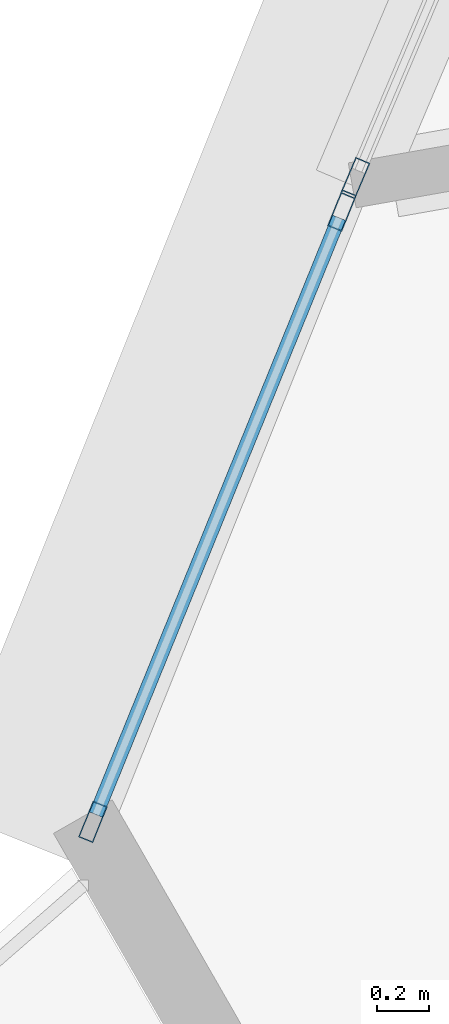
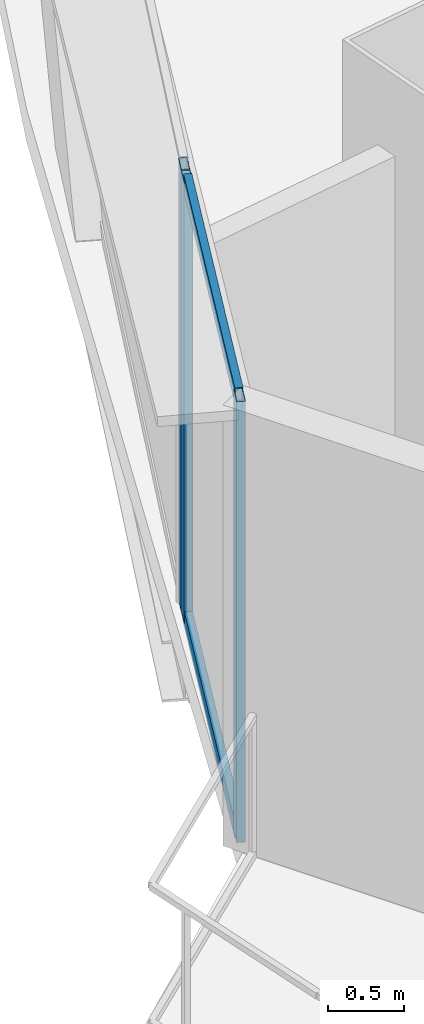
# One storey, part 4 of 37: 5 members, 2 elements without a shape of their own.
"""IFC4 building model written with IfcOpenShell, lengths in metres."""

from ifc_helpers import new_model, si_unit, direction, frame, origin, origin_2d, place, context, subcontext, project, spatial, hollow_rectangle, extrude, source, transform, mapped, material, layer, layer_set, material_profile, profile_set, type_object, element, aggregate, save


model = new_model("IFC4")

# Units and contexts
model_context = context("Model", 3, precision=1e-05, world=origin(), true_north=direction((0.0, 1.0)))
body_context = subcontext(model_context, "Body", "Model", "MODEL_VIEW")
ifc_project = project(units=[si_unit("LENGTHUNIT", "METRE"), si_unit("AREAUNIT", "SQUARE_METRE"), si_unit("VOLUMEUNIT", "CUBIC_METRE"), si_unit("PLANEANGLEUNIT", "RADIAN"), si_unit("MASSUNIT", "GRAM", prefix="KILO"), si_unit("THERMODYNAMICTEMPERATUREUNIT", "KELVIN"), si_unit("POWERUNIT", "WATT")], contexts=[model_context])

# Site, building, storey
site_placement = place(None, origin())
site = spatial("IfcSite", under=ifc_project, at=site_placement, CompositionType="ELEMENT")
building_placement = place(site_placement, origin())
building = spatial("IfcBuilding", under=site, at=building_placement, Name="Yunzhuo Pagoda Commons", CompositionType="ELEMENT")
storey_placement = place(building_placement, frame((0.0, 0.0, 196.159912109375)))
storey = spatial("IfcBuildingStorey", under=building, at=storey_placement, Name="L49", CompositionType="ELEMENT", Elevation=196.159912109375)

# Curtain wall, member
ifc_material = material(Name="Anodized aluminium 6063-T6", Category="aluminium")
ifc_layer = layer(ifc_material, 0.14990234375)
ifc_layer_set = layer_set([ifc_layer], Name="Anodized aluminium 6063-T6")
curtain_wall_type = type_object("IfcCurtainWallType", Name="CW-MID Mid-Zone Ribbon Curtain Wall", PredefinedType="NOTDEFINED", material=ifc_layer_set)
curtain_wall_1_placement = place(storey_placement, origin())
curtain_wall_1 = element("IfcCurtainWall", 1, at=curtain_wall_1_placement, inside=storey, type_object=curtain_wall_type, Name="L49 curtain wall CW-L49-F3B4", PredefinedType="NOTDEFINED")
ifc_material_profile_1 = material_profile(ifc_material, hollow_rectangle(XDim=0.06005859375, YDim=0.14990234375, WallThickness=0.00390625, at=origin_2d()), Name="Anodized aluminium 6063-T6")
ifc_profile_set_1 = profile_set([ifc_material_profile_1], Name="Anodized aluminium 6063-T6")
member_type_1 = type_object("IfcMemberType", Name="CW-MID-M Mullion RHS 150x60x4", PredefinedType="MULLION", material=ifc_profile_set_1)
shared_shape_1 = source(origin(), body_context, "Body", "SweptSolid", [
    extrude(hollow_rectangle(XDim=0.06005859375, YDim=0.14990234375, WallThickness=0.00390625, at=origin_2d()), origin(), (0.0, 0.0, 1.0), 3.5400390625),
])
member_1_placement = place(storey_placement, frame((10.658203125, 27.14111328125, 0.0), z_axis=(0.0, 0.0, 1.0), x_axis=(0.920666607247, -0.390349840912, 0.0)))
member_1 = element("IfcMember", 2, at=member_1_placement, type_object=member_type_1, Name="CW mullion 2", PredefinedType="MULLION", context=body_context, shape_type="MappedRepresentation", body=[
    mapped(shared_shape_1, transform((0.0, 0.0, 0.0), scale=1.0)),
])
aggregate(curtain_wall_1, [member_1])

# Curtain wall, members
curtain_wall_2_placement = place(storey_placement, origin())
curtain_wall_2 = element("IfcCurtainWall", 3, at=curtain_wall_2_placement, inside=storey, type_object=curtain_wall_type, Name="L49 curtain wall CW-L49-F3B5", PredefinedType="NOTDEFINED")
member_2_placement = place(storey_placement, frame((10.60693359375, 27.016357421875, 0.0), z_axis=(0.0, 0.0, 1.0), x_axis=(0.926070937911, -0.377349463967, 0.0)))
member_2 = element("IfcMember", 4, at=member_2_placement, type_object=member_type_1, Name="CW mullion 1", PredefinedType="MULLION", context=body_context, shape_type="MappedRepresentation", body=[
    mapped(shared_shape_1, transform((0.0, 0.0, 0.0), scale=1.0)),
])
member_3_placement = place(storey_placement, frame((9.6494140625, 24.666015625, 0.0), z_axis=(0.0, 0.0, 1.0), x_axis=(0.926070937911, -0.377349463967, 0.0)))
member_3 = element("IfcMember", 5, at=member_3_placement, type_object=member_type_1, Name="CW mullion 2", PredefinedType="MULLION", context=body_context, shape_type="MappedRepresentation", body=[
    mapped(shared_shape_1, transform((0.0, 0.0, 0.0), scale=1.0)),
])
ifc_material_profile_2 = material_profile(ifc_material, hollow_rectangle(XDim=0.054931640625, YDim=0.1298828125, WallThickness=0.00341796875, at=origin_2d()), Name="Anodized aluminium 6063-T6")
ifc_profile_set_2 = profile_set([ifc_material_profile_2], Name="Anodized aluminium 6063-T6")
member_type_2 = type_object("IfcMemberType", Name="CW-MID-T Transom RHS 130x55x3.5", PredefinedType="USERDEFINED", material=ifc_profile_set_2)
shared_shape_2 = source(origin(), body_context, "Body", "SweptSolid", [
    extrude(hollow_rectangle(XDim=0.054931640625, YDim=0.1298828125, WallThickness=0.00341796875, at=origin_2d()), origin(), (0.0, 0.0, 1.0), 2.477783203125),
])
member_4_placement = place(storey_placement, frame((10.595703125, 26.988525390625, 0.027587890625), z_axis=(-0.377278108242, -0.92610001028, 0.0), x_axis=(0.92610001028, -0.377278108242, 0.0)))
member_4 = element("IfcMember", 6, at=member_4_placement, type_object=member_type_2, Name="CW transom 1.1", ObjectType="TRANSOM", PredefinedType="USERDEFINED", context=body_context, shape_type="MappedRepresentation", body=[
    mapped(shared_shape_2, transform((0.0, 0.0, 0.0), scale=1.0)),
])
member_5_placement = place(storey_placement, frame((10.595703125, 26.988525390625, 3.5126953125), z_axis=(-0.377278108242, -0.92610001028, 0.0), x_axis=(0.92610001028, -0.377278108242, 0.0)))
member_5 = element("IfcMember", 7, at=member_5_placement, type_object=member_type_2, Name="CW transom 1.2", ObjectType="TRANSOM", PredefinedType="USERDEFINED", context=body_context, shape_type="MappedRepresentation", body=[
    mapped(shared_shape_2, transform((0.0, 0.0, 0.0), scale=1.0)),
])
aggregate(curtain_wall_2, [member_2, member_3, member_4, member_5])

save(model, "model.ifc")
